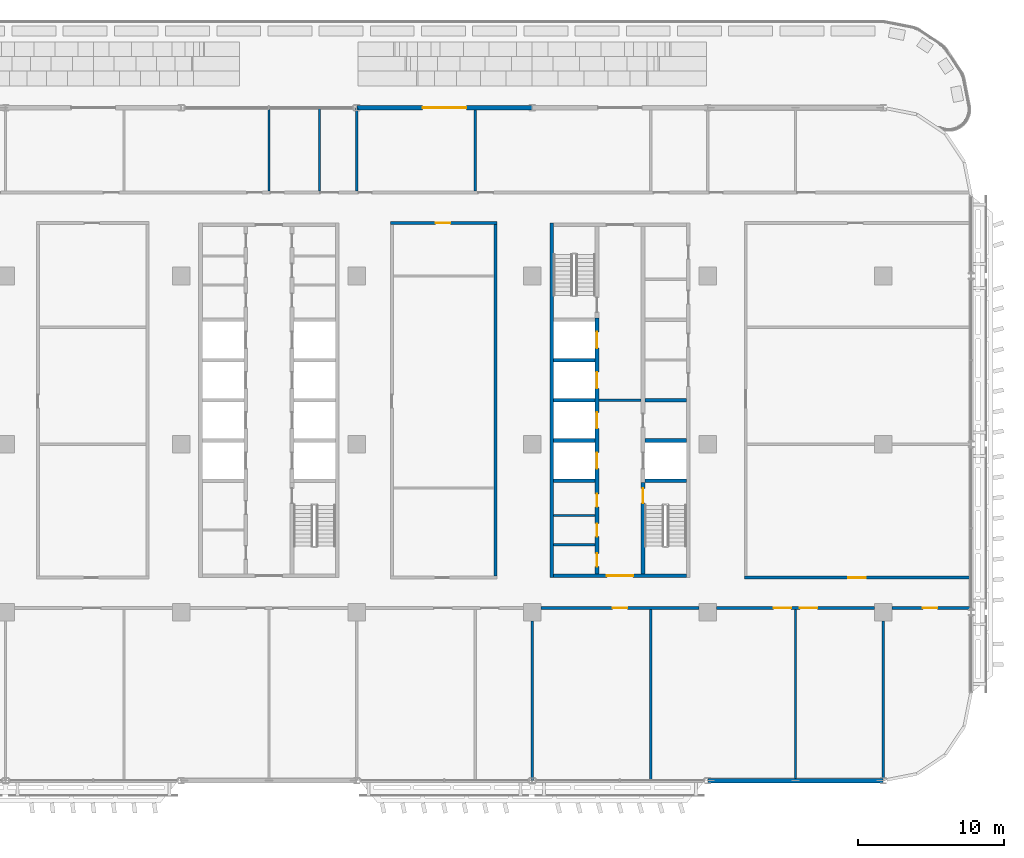
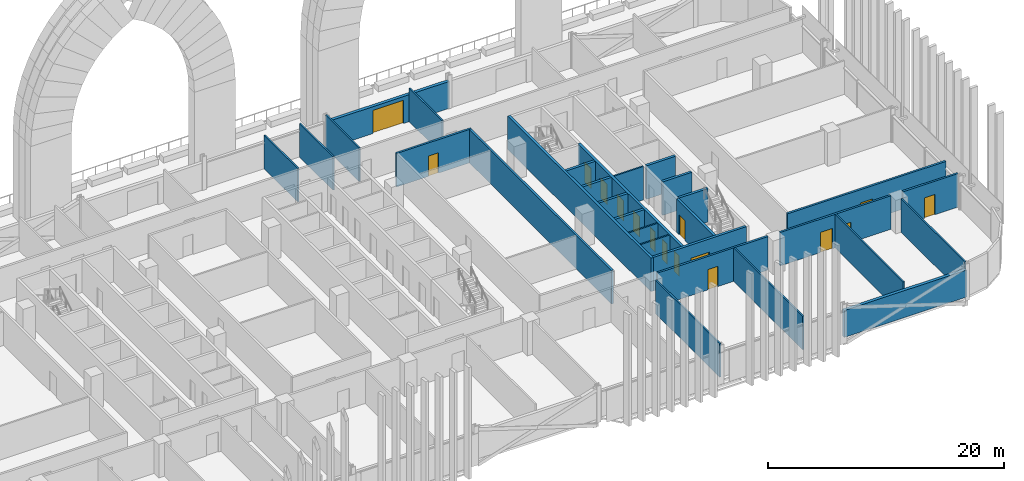
# One storey, part 14 of 30: 30 walls, 16 doors, 16 openings.
"""IFC4 building model written with IfcOpenShell, lengths in metres."""

import ifcopenshell
import ifcopenshell.guid

model = None  # the IFC model being written
_history = None  # IfcOwnerHistory: only IFC2X3 demands one
_inside = {}  # id of a spatial element -> (the spatial element, [elements in it])
_under = {}  # id of a project, library or spatial element -> (it, [spatial elements below it])
_declared = {}  # id of a project -> (the project, [libraries it declares])
_typed = {}  # id of a type object -> (the type object, [elements of that type])
_made_of = {}  # id of a material, layer set ... -> (it, [elements and type objects made of it])


def new_model(schema):
    """Start an empty IFC model of exactly this schema.

    Asked for "IFC4X3", IfcOpenShell would pick the latest addendum, in which some entities
    have other attributes; the version numbers below select the first issue.
    IFC2X3 requires an IfcOwnerHistory on every rooted entity: one is made here for all.
    """
    global model, _history
    if schema == "IFC4X3":
        model = ifcopenshell.file(schema_version=(4, 3, 0, 0))
    else:
        model = ifcopenshell.file(schema=schema)
    _inside.clear()
    _under.clear()
    _declared.clear()
    _typed.clear()
    _made_of.clear()
    _history = None
    if model.schema == "IFC2X3":
        org = make("IfcOrganization", Name="unknown")
        user = make(
            "IfcPersonAndOrganization",
            ThePerson=make("IfcPerson", FamilyName="unknown"),
            TheOrganization=org,
        )
        app = make(
            "IfcApplication",
            ApplicationDeveloper=org,
            Version="unknown",
            ApplicationFullName="unknown",
            ApplicationIdentifier="unknown",
        )
        _history = make(
            "IfcOwnerHistory",
            OwningUser=user,
            OwningApplication=app,
            ChangeAction="ADDED",
            CreationDate=0,
        )
    return model


def make(cls, **values):
    """One entity of the class cls with the attributes given. An attribute that is None is left unset."""
    return model.create_entity(
        cls, **{name: value for name, value in values.items() if value is not None}
    )


def rooted(cls, **values):
    """An entity with a GlobalId (a new one), such as an element, a storey or a relation."""
    return make(cls, GlobalId=ifcopenshell.guid.new(), OwnerHistory=_history, **values)


def si_unit(unit_type, name, prefix=None):
    """IfcSIUnit, for example si_unit("LENGTHUNIT", "METRE", prefix="MILLI")."""
    return make("IfcSIUnit", UnitType=unit_type, Prefix=prefix, Name=name)


def assignment(units):
    """IfcUnitAssignment: the units of a project."""
    return None if units is None else make("IfcUnitAssignment", Units=units)


def point(xyz):
    """IfcCartesianPoint."""
    return None if xyz is None else make("IfcCartesianPoint", Coordinates=xyz)


def direction(xyz):
    """IfcDirection."""
    return None if xyz is None else make("IfcDirection", DirectionRatios=xyz)


def frame(location, z_axis=None, x_axis=None):
    """IfcAxis2Placement3D, a coordinate frame: its origin and axes. An axis left out is left unset."""
    return make(
        "IfcAxis2Placement3D",
        Location=point(location),
        Axis=direction(z_axis),
        RefDirection=direction(x_axis),
    )


def frame_2d(location, x_axis=None):
    """IfcAxis2Placement2D, a coordinate frame in the plane: its origin and x axis."""
    return make(
        "IfcAxis2Placement2D", Location=point(location), RefDirection=direction(x_axis)
    )


def origin():
    """The frame at (0, 0, 0) with its axes left unset."""
    return frame((0.0, 0.0, 0.0))


def place(relative_to, where):
    """IfcLocalPlacement: puts the frame where relative to a parent placement (None: the world)."""
    return make(
        "IfcLocalPlacement", PlacementRelTo=relative_to, RelativePlacement=where
    )


def context(
    kind, dimensions, precision=None, world=None, true_north=None, identifier=None
):
    """IfcGeometricRepresentationContext, for example the 3D "Model" context."""
    return make(
        "IfcGeometricRepresentationContext",
        ContextIdentifier=identifier,
        ContextType=kind,
        CoordinateSpaceDimension=dimensions,
        Precision=precision,
        WorldCoordinateSystem=world,
        TrueNorth=true_north,
    )


def subcontext(parent, identifier, kind, view, scale=None):
    """IfcGeometricRepresentationSubContext, for example "Body" below "Model"."""
    return make(
        "IfcGeometricRepresentationSubContext",
        ContextIdentifier=identifier,
        ContextType=kind,
        ParentContext=parent,
        TargetScale=scale,
        TargetView=view,
    )


def project(units=None, contexts=None):
    """IfcProject with its units and contexts."""
    return rooted(
        "IfcProject",
        Name="project",
        RepresentationContexts=contexts,
        UnitsInContext=assignment(units),
    )


def spatial(cls, under=None, at=None, **own):
    """A site, building, storey or space (cls), placed at a placement, below another one or the project."""
    s = rooted(cls, ObjectPlacement=at, **own)
    if under is not None:
        _under.setdefault(under.id(), (under, []))[1].append(s)
    return s


def profile(cls, at=None, kind="AREA", **sizes):
    """A parametric profile (cls). Its sizes go by their IFC names, for example OverallWidth=200.0."""
    return make(cls, ProfileType=kind, Position=at, **sizes)


def rectangle(**sizes):
    """IfcRectangleProfileDef."""
    return profile("IfcRectangleProfileDef", **sizes)


def extrude(swept, where, along, depth):
    """IfcExtrudedAreaSolid: the profile swept, set in the frame where, extruded along a direction by depth."""
    return make(
        "IfcExtrudedAreaSolid",
        SweptArea=swept,
        Position=where,
        ExtrudedDirection=direction(along),
        Depth=depth,
    )


def shape(context_of_items, identifier, shape_type, items):
    """IfcShapeRepresentation: the items that make up one representation, for example the "Body"."""
    return make(
        "IfcShapeRepresentation",
        ContextOfItems=context_of_items,
        RepresentationIdentifier=identifier,
        RepresentationType=shape_type,
        Items=items,
    )


def material(Name=None, Category=None):
    """IfcMaterial."""
    return make("IfcMaterial", Name=Name, Category=Category)


def layer(
    of_material, thickness, ventilated=None, Name=None, Category=None, Priority=None
):
    """IfcMaterialLayer: one layer of a wall or slab, of a material (None: an air gap)."""
    return make(
        "IfcMaterialLayer",
        Material=of_material,
        LayerThickness=thickness,
        IsVentilated=ventilated,
        Name=Name,
        Category=Category,
        Priority=Priority,
    )


def layer_set(layers, Name=None):
    """IfcMaterialLayerSet."""
    return make("IfcMaterialLayerSet", MaterialLayers=layers, LayerSetName=Name)


def made_of(thing, what):
    """Note that an element or type object is made of a material, layer set ...; save() writes the relation."""
    if what is not None:
        _made_of.setdefault(what.id(), (what, []))[1].append(thing)
    return thing


def type_object(cls, material=None, **own):
    """A type object (cls), such as IfcWallType, which elements share."""
    return made_of(rooted(cls, **own), material)


def element(
    cls,
    number,
    at=None,
    inside=None,
    cuts=None,
    type_object=None,
    material=None,
    context=None,
    identifier="Body",
    shape_type=None,
    held_by="IfcProductDefinitionShape",
    body=None,
    shapes=None,
    **own,
):
    """One element of the class cls, such as IfcWall. Its Tag is "e" and its number.

    at: its placement. inside: the storey or other place that contains it. cuts: it is an
    opening in that element (IfcRelVoidsElement). A single representation is given by context,
    identifier, shape_type and body (its items); several are given by shapes. held_by: the class
    of the entity that holds the representations. save() writes the other relations.
    """
    e = rooted(cls, Tag="e%d" % number, ObjectPlacement=at, **own)
    if body is not None:
        shapes = [shape(context, identifier, shape_type, body)]
    if shapes is not None:
        e.Representation = make(held_by, Representations=shapes)
    if inside is not None:
        _inside.setdefault(inside.id(), (inside, []))[1].append(e)
    if cuts is not None:
        rooted(
            "IfcRelVoidsElement", RelatingBuildingElement=cuts, RelatedOpeningElement=e
        )
    if type_object is not None:
        _typed.setdefault(type_object.id(), (type_object, []))[1].append(e)
    return made_of(e, material)


def fill(opening, filler):
    """IfcRelFillsElement: the door or window that sits in an opening."""
    return rooted(
        "IfcRelFillsElement",
        RelatingOpeningElement=opening,
        RelatedBuildingElement=filler,
    )


def aggregate(whole, parts):
    """IfcRelAggregates: a whole, such as a stair, and the parts it consists of."""
    return rooted("IfcRelAggregates", RelatingObject=whole, RelatedObjects=parts)


def save(model, path):
    """Write the relations noted so far, then the file.

    IfcRelAggregates (storeys below a building ...), IfcRelContainedInSpatialStructure (elements
    in a storey), IfcRelDefinesByType, IfcRelAssociatesMaterial and IfcRelDeclares: one each for
    every whole, place, type object, material and project.
    """
    for whole, parts in _under.values():
        aggregate(whole, parts)
    for where, things in _inside.values():
        rooted(
            "IfcRelContainedInSpatialStructure",
            RelatedElements=things,
            RelatingStructure=where,
        )
    for kind, things in _typed.values():
        rooted("IfcRelDefinesByType", RelatedObjects=things, RelatingType=kind)
    for what, things in _made_of.values():
        rooted("IfcRelAssociatesMaterial", RelatedObjects=things, RelatingMaterial=what)
    for by, libraries in _declared.values():
        rooted("IfcRelDeclares", RelatingContext=by, RelatedDefinitions=libraries)
    model.write(path)


model = new_model("IFC4")

# Units and contexts
model_context = context("Model", 3, precision=1e-05, world=origin(), true_north=direction((0.0, 1.0)))
body_context = subcontext(model_context, "Body", "Model", "MODEL_VIEW")
ifc_project = project(units=[si_unit("LENGTHUNIT", "METRE"), si_unit("AREAUNIT", "SQUARE_METRE"), si_unit("VOLUMEUNIT", "CUBIC_METRE"), si_unit("PLANEANGLEUNIT", "RADIAN"), si_unit("MASSUNIT", "GRAM", prefix="KILO")], contexts=[model_context])

# Site, building, storey
site_placement = place(None, origin())
site = spatial("IfcSite", under=ifc_project, at=site_placement, CompositionType="ELEMENT")
building_placement = place(site_placement, origin())
building = spatial("IfcBuilding", under=site, at=building_placement, Name="Mahtab Terrace Research Tower", CompositionType="ELEMENT")
storey_placement = place(building_placement, frame((0.0, 0.0, 159.199951171875)))
storey = spatial("IfcBuildingStorey", under=building, at=storey_placement, Name="L37", CompositionType="ELEMENT", Elevation=159.199951171875)

# Walls
ifc_material_1 = material(Name="Gypsum board partition")
ifc_layer_1 = layer(ifc_material_1, 0.14990234375)
ifc_layer_set_1 = layer_set([ifc_layer_1], Name="Core partition 150")
wall_type_1 = type_object("IfcWallType", Name="Core partition 150", PredefinedType="PARTITIONING", material=ifc_layer_set_1)
wall_1_placement = place(storey_placement, frame((22.550048828125, 3.0, 0.0), z_axis=(0.0, 0.0, 1.0), x_axis=(1.0, 0.0, 0.0)))
element("IfcWall", 1, at=wall_1_placement, inside=storey, type_object=wall_type_1, Name="Core wall C ffl", PredefinedType="PARTITIONING", context=body_context, shape_type="SweptSolid", body=[
    extrude(rectangle(XDim=2.89990234375, YDim=0.14990234375, at=frame_2d((1.449951171875, 0.0))), origin(), (0.0, 0.0, 1.0), 3.4599609375),
])
for number, where, z_axis, x_axis, name in (
    (2, (19.449951171875, -6.875, 0.0), (0.0, 0.0, 1.0), (1.0, 0.0, 0.0), "Core wall C pWS-988"),
    (3, (19.449951171875, -4.875, 0.0), (0.0, 0.0, 1.0), (1.0, 0.0, 0.0), "Core wall C pWS-788"),
):
    element("IfcWall", number, at=place(storey_placement, frame(where, z_axis=z_axis, x_axis=x_axis)), inside=storey, type_object=wall_type_1, Name=name, PredefinedType="PARTITIONING", context=body_context, shape_type="SweptSolid", body=[
        extrude(rectangle(XDim=2.85009765625, YDim=0.14990234375, at=frame_2d((1.425048828125, 0.0))), origin(), (0.0, 0.0, 1.0), 3.4599609375),
    ])
ifc_material_2 = material(Name="Concrete C70/85", Category="concrete")
ifc_layer_2 = layer(ifc_material_2, 0.25)
ifc_layer_set_2 = layer_set([ifc_layer_2], Name="Core wall 250")
wall_type_2 = type_object("IfcWallType", Name="Core wall 250", PredefinedType="SOLIDWALL", material=ifc_layer_set_2)
wall_2_placement = place(storey_placement, frame((19.324951171875, 15.125, 0.0), z_axis=(0.0, 0.0, 1.0), x_axis=(0.0, -1.0, 0.0)))
element("IfcWall", 4, at=wall_2_placement, inside=storey, type_object=wall_type_2, Name="Core wall C outerW", PredefinedType="SOLIDWALL", context=body_context, shape_type="SweptSolid", body=[
    extrude(rectangle(XDim=24.25, YDim=0.25, at=frame_2d((12.125, 0.0))), origin(), (0.0, 0.0, 1.0), 3.4599609375),
])

# Wall, opening, door
wall_3_placement = place(storey_placement, frame((28.550048828125, -9.0, 0.0), z_axis=(0.0, 0.0, 1.0), x_axis=(-1.0, 0.0, 0.0)))
wall_3 = element("IfcWall", 5, at=wall_3_placement, inside=storey, type_object=wall_type_2, Name="Core wall C endS", PredefinedType="SOLIDWALL", context=body_context, shape_type="SweptSolid", body=[
    extrude(rectangle(XDim=9.10009765625, YDim=0.25, at=frame_2d((4.550048828125, 0.0))), origin(), (0.0, 0.0, 1.0), 3.4599609375),
])
opening_1_placement = place(wall_3_placement, frame((3.64990234375, 0.0, 0.0)))
opening_1 = element("IfcOpeningElement", 6, at=opening_1_placement, cuts=wall_3, Name="Opening C-S1", PredefinedType="OPENING", context=body_context, shape_type="SweptSolid", body=[
    extrude(rectangle(XDim=1.800048828125, YDim=2.10009765625, at=frame_2d((0.89990234375, 1.050048828125))), frame((0.0, 0.135009765625, 0.0), z_axis=(0.0, -1.0, 0.0), x_axis=(1.0, 0.0, 0.0)), (0.0, 0.0, 1.0), 0.27001953125),
])
ifc_material_3 = material(Name="Steel fire door", Category="steel")
door_type_1 = type_object("IfcDoorType", Name="Lobby double door 1800x2100 1 HR", OperationType="DOUBLE_DOOR_SINGLE_SWING", PredefinedType="DOOR", material=ifc_material_3)
door_1_placement = place(opening_1_placement, origin())
door_1 = element("IfcDoor", 7, at=door_1_placement, inside=storey, type_object=door_type_1, Name="Core entrance door C S", OperationType="DOUBLE_DOOR_SINGLE_SWING", OverallHeight=2.10009765625, OverallWidth=1.800048828125, PredefinedType="DOOR", context=body_context, shape_type="SweptSolid", body=[
    extrude(rectangle(XDim=1.800048828125, YDim=2.10009765625, at=frame_2d((0.89990234375, 1.050048828125))), frame((0.0, 0.02490234375, 0.0), z_axis=(0.0, -1.0, 0.0), x_axis=(1.0, 0.0, 0.0)), (0.0, 0.0, 1.0), 0.050048828125),
])
fill(opening_1, door_1)

# Wall, openings, doors
wall_4_placement = place(storey_placement, frame((22.425048828125, -8.875, 0.0), z_axis=(0.0, 0.0, 1.0), x_axis=(0.0, 1.0, 0.0)))
wall_4 = element("IfcWall", 8, at=wall_4_placement, inside=storey, type_object=wall_type_2, Name="Core wall C innerWSL", PredefinedType="SOLIDWALL", context=body_context, shape_type="SweptSolid", body=[
    extrude(rectangle(XDim=17.5, YDim=0.25, at=frame_2d((8.75, 0.0))), origin(), (0.0, 0.0, 1.0), 3.4599609375),
])
opening_2_placement = place(wall_4_placement, frame((7.199951171875, 0.0, 0.0)))
opening_2 = element("IfcOpeningElement", 9, at=opening_2_placement, cuts=wall_4, Name="Opening LD17-L37", PredefinedType="OPENING", context=body_context, shape_type="SweptSolid", body=[
    extrude(rectangle(XDim=1.10009765625, YDim=2.10009765625, at=frame_2d((0.550048828125, 1.050048828125))), frame((0.0, 0.135009765625, 0.0), z_axis=(0.0, -1.0, 0.0), x_axis=(1.0, 0.0, 0.0)), (0.0, 0.0, 1.0), 0.27001953125),
])
opening_3_placement = place(wall_4_placement, frame((9.949951171875, 0.0, 0.0)))
opening_3 = element("IfcOpeningElement", 10, at=opening_3_placement, cuts=wall_4, Name="Opening LD18-L37", PredefinedType="OPENING", context=body_context, shape_type="SweptSolid", body=[
    extrude(rectangle(XDim=1.10009765625, YDim=2.10009765625, at=frame_2d((0.550048828125, 1.050048828125))), frame((0.0, 0.135009765625, 0.0), z_axis=(0.0, -1.0, 0.0), x_axis=(1.0, 0.0, 0.0)), (0.0, 0.0, 1.0), 0.27001953125),
])
opening_4_placement = place(wall_4_placement, frame((12.699951171875, 0.0, 0.0)))
opening_4 = element("IfcOpeningElement", 11, at=opening_4_placement, cuts=wall_4, Name="Opening LD19-L37", PredefinedType="OPENING", context=body_context, shape_type="SweptSolid", body=[
    extrude(rectangle(XDim=1.10009765625, YDim=2.10009765625, at=frame_2d((0.550048828125, 1.050048828125))), frame((0.0, 0.135009765625, 0.0), z_axis=(0.0, -1.0, 0.0), x_axis=(1.0, 0.0, 0.0)), (0.0, 0.0, 1.0), 0.27001953125),
])
opening_5_placement = place(wall_4_placement, frame((15.449951171875, 0.0, 0.0)))
opening_5 = element("IfcOpeningElement", 12, at=opening_5_placement, cuts=wall_4, Name="Opening LD20-L37", PredefinedType="OPENING", context=body_context, shape_type="SweptSolid", body=[
    extrude(rectangle(XDim=1.10009765625, YDim=2.10009765625, at=frame_2d((0.550048828125, 1.050048828125))), frame((0.0, 0.135009765625, 0.0), z_axis=(0.0, -1.0, 0.0), x_axis=(1.0, 0.0, 0.0)), (0.0, 0.0, 1.0), 0.27001953125),
])
opening_6_placement = place(wall_4_placement, frame((0.512451171875, 0.0, 0.0)))
opening_6 = element("IfcOpeningElement", 13, at=opening_6_placement, cuts=wall_4, Name="Opening C-R4", PredefinedType="OPENING", context=body_context, shape_type="SweptSolid", body=[
    extrude(rectangle(XDim=0.89990234375, YDim=2.10009765625, at=frame_2d((0.449951171875, 1.050048828125))), frame((0.0, 0.135009765625, 0.0), z_axis=(0.0, -1.0, 0.0), x_axis=(1.0, 0.0, 0.0)), (0.0, 0.0, 1.0), 0.27001953125),
])
opening_7_placement = place(wall_4_placement, frame((2.550048828125, 0.0, 0.0)))
opening_7 = element("IfcOpeningElement", 14, at=opening_7_placement, cuts=wall_4, Name="Opening C-R5", PredefinedType="OPENING", context=body_context, shape_type="SweptSolid", body=[
    extrude(rectangle(XDim=0.89990234375, YDim=2.10009765625, at=frame_2d((0.449951171875, 1.050048828125))), frame((0.0, 0.135009765625, 0.0), z_axis=(0.0, -1.0, 0.0), x_axis=(1.0, 0.0, 0.0)), (0.0, 0.0, 1.0), 0.27001953125),
])
opening_8_placement = place(wall_4_placement, frame((4.58740234375, 0.0, 0.0)))
opening_8 = element("IfcOpeningElement", 15, at=opening_8_placement, cuts=wall_4, Name="Opening C-R6", PredefinedType="OPENING", context=body_context, shape_type="SweptSolid", body=[
    extrude(rectangle(XDim=0.89990234375, YDim=2.10009765625, at=frame_2d((0.449951171875, 1.050048828125))), frame((0.0, 0.135009765625, 0.0), z_axis=(0.0, -1.0, 0.0), x_axis=(1.0, 0.0, 0.0)), (0.0, 0.0, 1.0), 0.27001953125),
])
ifc_material_4 = material(Name="Stainless steel AISI 304", Category="steel")
door_type_2 = type_object("IfcDoorType", Name="Landing door 1100x2100", OperationType="DOUBLE_DOOR_SLIDING", PredefinedType="DOOR", material=ifc_material_4)
door_2_placement = place(opening_2_placement, origin())
door_2 = element("IfcDoor", 16, at=door_2_placement, inside=storey, type_object=door_type_2, Name="Landing door SV1 L37", OperationType="DOUBLE_DOOR_SLIDING", OverallHeight=2.10009765625, OverallWidth=1.10009765625, PredefinedType="DOOR", context=body_context, shape_type="SweptSolid", body=[
    extrude(rectangle(XDim=1.10009765625, YDim=2.10009765625, at=frame_2d((0.550048828125, 1.050048828125))), frame((0.0, 0.02490234375, 0.0), z_axis=(0.0, -1.0, 0.0), x_axis=(1.0, 0.0, 0.0)), (0.0, 0.0, 1.0), 0.050048828125),
])
fill(opening_2, door_2)
door_3_placement = place(opening_3_placement, origin())
door_3 = element("IfcDoor", 17, at=door_3_placement, inside=storey, type_object=door_type_2, Name="Landing door SV2 L37", OperationType="DOUBLE_DOOR_SLIDING", OverallHeight=2.10009765625, OverallWidth=1.10009765625, PredefinedType="DOOR", context=body_context, shape_type="SweptSolid", body=[
    extrude(rectangle(XDim=1.10009765625, YDim=2.10009765625, at=frame_2d((0.550048828125, 1.050048828125))), frame((0.0, 0.02490234375, 0.0), z_axis=(0.0, -1.0, 0.0), x_axis=(1.0, 0.0, 0.0)), (0.0, 0.0, 1.0), 0.050048828125),
])
fill(opening_3, door_3)
door_4_placement = place(opening_4_placement, origin())
door_4 = element("IfcDoor", 18, at=door_4_placement, inside=storey, type_object=door_type_2, Name="Landing door FF1 L37", OperationType="DOUBLE_DOOR_SLIDING", OverallHeight=2.10009765625, OverallWidth=1.10009765625, PredefinedType="DOOR", context=body_context, shape_type="SweptSolid", body=[
    extrude(rectangle(XDim=1.10009765625, YDim=2.10009765625, at=frame_2d((0.550048828125, 1.050048828125))), frame((0.0, 0.02490234375, 0.0), z_axis=(0.0, -1.0, 0.0), x_axis=(1.0, 0.0, 0.0)), (0.0, 0.0, 1.0), 0.050048828125),
])
fill(opening_4, door_4)
door_5_placement = place(opening_5_placement, origin())
door_5 = element("IfcDoor", 19, at=door_5_placement, inside=storey, type_object=door_type_2, Name="Landing door FF2 L37", OperationType="DOUBLE_DOOR_SLIDING", OverallHeight=2.10009765625, OverallWidth=1.10009765625, PredefinedType="DOOR", context=body_context, shape_type="SweptSolid", body=[
    extrude(rectangle(XDim=1.10009765625, YDim=2.10009765625, at=frame_2d((0.550048828125, 1.050048828125))), frame((0.0, 0.02490234375, 0.0), z_axis=(0.0, -1.0, 0.0), x_axis=(1.0, 0.0, 0.0)), (0.0, 0.0, 1.0), 0.050048828125),
])
fill(opening_5, door_5)
door_type_3 = type_object("IfcDoorType", Name="Room door 900x2100 1 HR", OperationType="NOTDEFINED", PredefinedType="DOOR", material=ifc_material_3)
door_6_placement = place(opening_6_placement, origin())
door_6 = element("IfcDoor", 20, at=door_6_placement, inside=storey, type_object=door_type_3, Name="Male WC door", OperationType="SINGLE_SWING_RIGHT", OverallHeight=2.10009765625, OverallWidth=0.89990234375, PredefinedType="DOOR", context=body_context, shape_type="SweptSolid", body=[
    extrude(rectangle(XDim=0.89990234375, YDim=2.10009765625, at=frame_2d((0.449951171875, 1.050048828125))), frame((0.0, 0.02490234375, 0.0), z_axis=(0.0, -1.0, 0.0), x_axis=(1.0, 0.0, 0.0)), (0.0, 0.0, 1.0), 0.050048828125),
])
fill(opening_6, door_6)
door_7_placement = place(opening_7_placement, origin())
door_7 = element("IfcDoor", 21, at=door_7_placement, inside=storey, type_object=door_type_3, Name="Female WC door", OperationType="SINGLE_SWING_LEFT", OverallHeight=2.10009765625, OverallWidth=0.89990234375, PredefinedType="DOOR", context=body_context, shape_type="SweptSolid", body=[
    extrude(rectangle(XDim=0.89990234375, YDim=2.10009765625, at=frame_2d((0.449951171875, 1.050048828125))), frame((0.0, 0.02490234375, 0.0), z_axis=(0.0, -1.0, 0.0), x_axis=(1.0, 0.0, 0.0)), (0.0, 0.0, 1.0), 0.050048828125),
])
fill(opening_7, door_7)
door_8_placement = place(opening_8_placement, origin())
door_8 = element("IfcDoor", 22, at=door_8_placement, inside=storey, type_object=door_type_3, Name="Accessible WC door", OperationType="SINGLE_SWING_RIGHT", OverallHeight=2.10009765625, OverallWidth=0.89990234375, PredefinedType="DOOR", context=body_context, shape_type="SweptSolid", body=[
    extrude(rectangle(XDim=0.89990234375, YDim=2.10009765625, at=frame_2d((0.449951171875, 1.050048828125))), frame((0.0, 0.02490234375, 0.0), z_axis=(0.0, -1.0, 0.0), x_axis=(1.0, 0.0, 0.0)), (0.0, 0.0, 1.0), 0.050048828125),
])
fill(opening_8, door_8)

# Wall, opening, door
wall_5_placement = place(storey_placement, frame((25.574951171875, -8.875, 0.0), z_axis=(0.0, 0.0, 1.0), x_axis=(0.0, 1.0, 0.0)))
wall_5 = element("IfcWall", 23, at=wall_5_placement, inside=storey, type_object=wall_type_2, Name="Core wall C innerES", PredefinedType="SOLIDWALL", context=body_context, shape_type="SweptSolid", body=[
    extrude(rectangle(XDim=6.25, YDim=0.25, at=frame_2d((3.125, 0.0))), origin(), (0.0, 0.0, 1.0), 3.4599609375),
])
opening_9_placement = place(wall_5_placement, frame((4.85009765625, 0.0, 0.0)))
opening_9 = element("IfcOpeningElement", 24, at=opening_9_placement, cuts=wall_5, Name="Opening C-ST4", PredefinedType="OPENING", context=body_context, shape_type="SweptSolid", body=[
    extrude(rectangle(XDim=1.0, YDim=2.10009765625, at=frame_2d((0.5, 1.050048828125))), frame((0.0, 0.135009765625, 0.0), z_axis=(0.0, -1.0, 0.0), x_axis=(1.0, 0.0, 0.0)), (0.0, 0.0, 1.0), 0.27001953125),
])
door_type_4 = type_object("IfcDoorType", Name="Stair door 1000x2100 1.5 HR", OperationType="NOTDEFINED", PredefinedType="DOOR", material=ifc_material_3)
door_9_placement = place(opening_9_placement, origin())
door_9 = element("IfcDoor", 25, at=door_9_placement, inside=storey, type_object=door_type_4, Name="Stair door ST4 L37", OperationType="SINGLE_SWING_RIGHT", OverallHeight=2.10009765625, OverallWidth=1.0, PredefinedType="DOOR", context=body_context, shape_type="SweptSolid", body=[
    extrude(rectangle(XDim=1.0, YDim=2.10009765625, at=frame_2d((0.5, 1.050048828125))), frame((0.0, 0.02490234375, 0.0), z_axis=(0.0, -1.0, 0.0), x_axis=(1.0, 0.0, 0.0)), (0.0, 0.0, 1.0), 0.050048828125),
])
fill(opening_9, door_9)

# Walls
for number, where, z_axis, x_axis, name in (
    (26, (19.449951171875, -2.5, 0.0), (0.0, 0.0, 1.0), (1.0, 0.0, 0.0), "Core wall C divW0"),
    (27, (19.449951171875, 0.25, 0.0), (0.0, 0.0, 1.0), (1.0, 0.0, 0.0), "Core wall C divW1"),
    (28, (19.449951171875, 3.0, 0.0), (0.0, 0.0, 1.0), (1.0, 0.0, 0.0), "Core wall C divW2"),
    (29, (19.449951171875, 5.75, 0.0), (0.0, 0.0, 1.0), (1.0, 0.0, 0.0), "Core wall C divW3"),
    (30, (25.699951171875, -2.5, 0.0), (0.0, 0.0, 1.0), (1.0, 0.0, 0.0), "Core wall C divE0"),
    (31, (25.699951171875, 0.25, 0.0), (0.0, 0.0, 1.0), (1.0, 0.0, 0.0), "Core wall C divE1"),
    (32, (25.699951171875, 3.0, 0.0), (0.0, 0.0, 1.0), (1.0, 0.0, 0.0), "Core wall C divE2"),
):
    element("IfcWall", number, at=place(storey_placement, frame(where, z_axis=z_axis, x_axis=x_axis)), inside=storey, type_object=wall_type_2, Name=name, PredefinedType="SOLIDWALL", context=body_context, shape_type="SweptSolid", body=[
        extrude(rectangle(XDim=2.85009765625, YDim=0.25, at=frame_2d((1.425048828125, 0.0))), origin(), (0.0, 0.0, 1.0), 3.4599609375),
    ])

# Wall, opening, door
ifc_material_5 = material(Name="Black aluminium cladding panel", Category="aluminium")
ifc_layer_3 = layer(ifc_material_5, 0.300048828125)
ifc_layer_set_3 = layer_set([ifc_layer_3], Name="Opaque facade wall 300")
wall_type_3 = type_object("IfcWallType", Name="Opaque facade wall 300", PredefinedType="NOTDEFINED", material=ifc_layer_set_3)
wall_6_placement = place(storey_placement, frame((17.985107421875, 23.0, 0.0), z_axis=(0.0, 0.0, 1.0), x_axis=(-1.0, 0.0, 0.0)))
wall_6 = element("IfcWall", 33, at=wall_6_placement, inside=storey, type_object=wall_type_3, Name="Opaque facade wall L37 N5", PredefinedType="NOTDEFINED", context=body_context, shape_type="SweptSolid", body=[
    extrude(rectangle(XDim=11.97021484375, YDim=0.300048828125, at=frame_2d((5.985107421875, 0.0))), origin(), (0.0, 0.0, 1.0), 2.78173828125),
])
opening_10_placement = place(wall_6_placement, frame((4.485107421875, 0.0, 0.0)))
opening_10 = element("IfcOpeningElement", 34, at=opening_10_placement, cuts=wall_6, Name="Opening ED1", PredefinedType="OPENING", context=body_context, shape_type="SweptSolid", body=[
    extrude(rectangle(XDim=3.0, YDim=2.39990234375, at=frame_2d((1.5, 1.199951171875))), frame((0.0, 0.159912109375, 0.0), z_axis=(0.0, -1.0, 0.0), x_axis=(1.0, 0.0, 0.0)), (0.0, 0.0, 1.0), 0.320068359375),
])
ifc_material_6 = material(Name="Black anodised aluminium", Category="aluminium")
door_type_5 = type_object("IfcDoorType", Name="Terrace double door 3000x2400", OperationType="DOUBLE_DOOR_DOUBLE_SWING", PredefinedType="DOOR", material=ifc_material_6)
door_10_placement = place(opening_10_placement, origin())
door_10 = element("IfcDoor", 35, at=door_10_placement, inside=storey, type_object=door_type_5, Name="Terrace door L37 N", OperationType="SINGLE_SWING_LEFT", OverallHeight=2.39990234375, OverallWidth=3.0, PredefinedType="DOOR", context=body_context, shape_type="SweptSolid", body=[
    extrude(rectangle(XDim=3.0, YDim=2.39990234375, at=frame_2d((1.5, 1.199951171875))), frame((0.0, 0.02490234375, 0.0), z_axis=(0.0, -1.0, 0.0), x_axis=(1.0, 0.0, 0.0)), (0.0, 0.0, 1.0), 0.050048828125),
])
fill(opening_10, door_10)

# Wall
wall_7_placement = place(storey_placement, frame((30.014892578125, -23.0, 0.0), z_axis=(0.0, 0.0, 1.0), x_axis=(1.0, 0.0, 0.0)))
element("IfcWall", 36, at=wall_7_placement, inside=storey, type_object=wall_type_3, Name="Opaque facade wall L37 S29", PredefinedType="NOTDEFINED", context=body_context, shape_type="SweptSolid", body=[
    extrude(rectangle(XDim=11.97021484375, YDim=0.300048828125, at=frame_2d((5.985107421875, 0.0))), origin(), (0.0, 0.0, 1.0), 2.78173828125),
])

# Wall, opening, door
ifc_material_7 = material(Name="Gypsum board corridor wall on steel studs", Category="steel")
ifc_layer_4 = layer(ifc_material_7, 0.199951171875)
ifc_layer_set_4 = layer_set([ifc_layer_4], Name="WALL CORRIDOR 200")
wall_type_4 = type_object("IfcWallType", Name="WALL CORRIDOR 200", PredefinedType="PARTITIONING", material=ifc_layer_set_4)
wall_8_placement = place(storey_placement, frame((18.60009765625, -11.199951171875, 0.0), z_axis=(0.0, 0.0, 1.0), x_axis=(1.0, 0.0, 0.0)))
wall_8 = element("IfcWall", 37, at=wall_8_placement, inside=storey, type_object=wall_type_4, Name="L37-W007", PredefinedType="PARTITIONING", context=body_context, shape_type="SweptSolid", body=[
    extrude(rectangle(XDim=10.7998046875, YDim=0.199951171875, at=frame_2d((5.39990234375, 0.0))), origin(), (0.0, 0.0, 1.0), 3.4599609375),
])
opening_11_placement = place(wall_8_placement, frame((4.89990234375, 0.0, 0.0)))
opening_11 = element("IfcOpeningElement", 38, at=opening_11_placement, cuts=wall_8, Name="Opening L37-111", PredefinedType="OPENING", context=body_context, shape_type="SweptSolid", body=[
    extrude(rectangle(XDim=1.0, YDim=2.10009765625, at=frame_2d((0.5, 1.050048828125))), frame((0.0, 0.10986328125, 0.0), z_axis=(0.0, -1.0, 0.0), x_axis=(1.0, 0.0, 0.0)), (0.0, 0.0, 1.0), 0.219970703125),
])
ifc_material_8 = material(Name="Timber door leaf in steel frame", Category="steel")
door_type_6 = type_object("IfcDoorType", Name="DOOR 1000X2100 FD30S", OperationType="SINGLE_SWING_LEFT", PredefinedType="DOOR", material=ifc_material_8)
door_11_placement = place(opening_11_placement, origin())
door_11 = element("IfcDoor", 39, at=door_11_placement, inside=storey, type_object=door_type_6, Name="Door L37-111", OperationType="SINGLE_SWING_LEFT", OverallHeight=2.10009765625, OverallWidth=1.0, PredefinedType="DOOR", context=body_context, shape_type="SweptSolid", body=[
    extrude(rectangle(XDim=1.0, YDim=2.10009765625, at=frame_2d((0.5, 1.050048828125))), frame((0.0, 0.02490234375, 0.0), z_axis=(0.0, -1.0, 0.0), x_axis=(1.0, 0.0, 0.0)), (0.0, 0.0, 1.0), 0.050048828125),
])
fill(opening_11, door_11)

# Wall, openings, doors
wall_9_placement = place(storey_placement, frame((30.60009765625, -11.199951171875, 0.0), z_axis=(0.0, 0.0, 1.0), x_axis=(1.0, 0.0, 0.0)))
wall_9 = element("IfcWall", 40, at=wall_9_placement, inside=storey, type_object=wall_type_4, Name="L37-W008", PredefinedType="PARTITIONING", context=body_context, shape_type="SweptSolid", body=[
    extrude(rectangle(XDim=10.7998046875, YDim=0.199951171875, at=frame_2d((5.39990234375, 0.0))), origin(), (0.0, 0.0, 1.0), 3.4599609375),
])
opening_12_placement = place(wall_9_placement, frame((3.89990234375, 0.0, 0.0)))
opening_12 = element("IfcOpeningElement", 41, at=opening_12_placement, cuts=wall_9, Name="Opening L37-112", PredefinedType="OPENING", context=body_context, shape_type="SweptSolid", body=[
    extrude(rectangle(XDim=1.199951171875, YDim=2.10009765625, at=frame_2d((0.60009765625, 1.050048828125))), frame((0.0, 0.10986328125, 0.0), z_axis=(0.0, -1.0, 0.0), x_axis=(1.0, 0.0, 0.0)), (0.0, 0.0, 1.0), 0.219970703125),
])
opening_13_placement = place(wall_9_placement, frame((5.699951171875, 0.0, 0.0)))
opening_13 = element("IfcOpeningElement", 42, at=opening_13_placement, cuts=wall_9, Name="Opening L37-113", PredefinedType="OPENING", context=body_context, shape_type="SweptSolid", body=[
    extrude(rectangle(XDim=1.199951171875, YDim=2.10009765625, at=frame_2d((0.60009765625, 1.050048828125))), frame((0.0, 0.10986328125, 0.0), z_axis=(0.0, -1.0, 0.0), x_axis=(1.0, 0.0, 0.0)), (0.0, 0.0, 1.0), 0.219970703125),
])
door_type_7 = type_object("IfcDoorType", Name="DOOR 1200X2100 FD30S", OperationType="SINGLE_SWING_LEFT", PredefinedType="DOOR", material=ifc_material_8)
door_12_placement = place(opening_12_placement, origin())
door_12 = element("IfcDoor", 43, at=door_12_placement, inside=storey, type_object=door_type_7, Name="Door L37-112", OperationType="SINGLE_SWING_RIGHT", OverallHeight=2.10009765625, OverallWidth=1.199951171875, PredefinedType="DOOR", context=body_context, shape_type="SweptSolid", body=[
    extrude(rectangle(XDim=1.199951171875, YDim=2.10009765625, at=frame_2d((0.60009765625, 1.050048828125))), frame((0.0, 0.02490234375, 0.0), z_axis=(0.0, -1.0, 0.0), x_axis=(1.0, 0.0, 0.0)), (0.0, 0.0, 1.0), 0.050048828125),
])
fill(opening_12, door_12)
door_13_placement = place(opening_13_placement, origin())
door_13 = element("IfcDoor", 44, at=door_13_placement, inside=storey, type_object=door_type_7, Name="Door L37-113", OperationType="SINGLE_SWING_LEFT", OverallHeight=2.10009765625, OverallWidth=1.199951171875, PredefinedType="DOOR", context=body_context, shape_type="SweptSolid", body=[
    extrude(rectangle(XDim=1.199951171875, YDim=2.10009765625, at=frame_2d((0.60009765625, 1.050048828125))), frame((0.0, 0.02490234375, 0.0), z_axis=(0.0, -1.0, 0.0), x_axis=(1.0, 0.0, 0.0)), (0.0, 0.0, 1.0), 0.050048828125),
])
fill(opening_13, door_13)

# Wall, opening, door
wall_10_placement = place(storey_placement, frame((42.60009765625, -11.199951171875, 0.0), z_axis=(0.0, 0.0, 1.0), x_axis=(1.0, 0.0, 0.0)))
wall_10 = element("IfcWall", 45, at=wall_10_placement, inside=storey, type_object=wall_type_4, Name="L37-W009", PredefinedType="PARTITIONING", context=body_context, shape_type="SweptSolid", body=[
    extrude(rectangle(XDim=5.375, YDim=0.199951171875, at=frame_2d((2.6875, 0.0))), origin(), (0.0, 0.0, 1.0), 3.4599609375),
])
opening_14_placement = place(wall_10_placement, frame((2.10009765625, 0.0, 0.0)))
opening_14 = element("IfcOpeningElement", 46, at=opening_14_placement, cuts=wall_10, Name="Opening L37-114", PredefinedType="OPENING", context=body_context, shape_type="SweptSolid", body=[
    extrude(rectangle(XDim=1.0, YDim=2.10009765625, at=frame_2d((0.5, 1.050048828125))), frame((0.0, 0.10986328125, 0.0), z_axis=(0.0, -1.0, 0.0), x_axis=(1.0, 0.0, 0.0)), (0.0, 0.0, 1.0), 0.219970703125),
])
door_14_placement = place(opening_14_placement, origin())
door_14 = element("IfcDoor", 47, at=door_14_placement, inside=storey, type_object=door_type_6, Name="Door L37-114", OperationType="SINGLE_SWING_RIGHT", OverallHeight=2.10009765625, OverallWidth=1.0, PredefinedType="DOOR", context=body_context, shape_type="SweptSolid", body=[
    extrude(rectangle(XDim=1.0, YDim=2.10009765625, at=frame_2d((0.5, 1.050048828125))), frame((0.0, 0.02490234375, 0.0), z_axis=(0.0, -1.0, 0.0), x_axis=(1.0, 0.0, 0.0)), (0.0, 0.0, 1.0), 0.050048828125),
])
fill(opening_14, door_14)

wall_11_placement = place(storey_placement, frame((32.5, -9.125, 0.0), z_axis=(0.0, 0.0, 1.0), x_axis=(1.0, 0.0, 0.0)))
wall_11 = element("IfcWall", 48, at=wall_11_placement, inside=storey, type_object=wall_type_4, Name="L37-W013", PredefinedType="PARTITIONING", context=body_context, shape_type="SweptSolid", body=[
    extrude(rectangle(XDim=15.47509765625, YDim=0.199951171875, at=frame_2d((7.737548828125, 0.0))), origin(), (0.0, 0.0, 1.0), 3.4599609375),
])
opening_15_placement = place(wall_11_placement, frame((7.10009765625, 0.0, 0.0)))
opening_15 = element("IfcOpeningElement", 49, at=opening_15_placement, cuts=wall_11, Name="Opening L37-118", PredefinedType="OPENING", context=body_context, shape_type="SweptSolid", body=[
    extrude(rectangle(XDim=1.199951171875, YDim=2.10009765625, at=frame_2d((0.60009765625, 1.050048828125))), frame((0.0, 0.10986328125, 0.0), z_axis=(0.0, -1.0, 0.0), x_axis=(1.0, 0.0, 0.0)), (0.0, 0.0, 1.0), 0.219970703125),
])
door_15_placement = place(opening_15_placement, origin())
door_15 = element("IfcDoor", 50, at=door_15_placement, inside=storey, type_object=door_type_7, Name="Door L37-118", OperationType="SINGLE_SWING_RIGHT", OverallHeight=2.10009765625, OverallWidth=1.199951171875, PredefinedType="DOOR", context=body_context, shape_type="SweptSolid", body=[
    extrude(rectangle(XDim=1.199951171875, YDim=2.10009765625, at=frame_2d((0.60009765625, 1.050048828125))), frame((0.0, 0.02490234375, 0.0), z_axis=(0.0, -1.0, 0.0), x_axis=(1.0, 0.0, 0.0)), (0.0, 0.0, 1.0), 0.050048828125),
])
fill(opening_15, door_15)

wall_12_placement = place(storey_placement, frame((8.300048828125, 15.125, 0.0), z_axis=(0.0, 0.0, 1.0), x_axis=(1.0, 0.0, 0.0)))
wall_12 = element("IfcWall", 51, at=wall_12_placement, inside=storey, type_object=wall_type_4, Name="L37-W026", PredefinedType="PARTITIONING", context=body_context, shape_type="SweptSolid", body=[
    extrude(rectangle(XDim=7.300048828125, YDim=0.199951171875, at=frame_2d((3.64990234375, 0.0))), origin(), (0.0, 0.0, 1.0), 3.4599609375),
])
opening_16_placement = place(wall_12_placement, frame((3.10009765625, 0.0, 0.0)))
opening_16 = element("IfcOpeningElement", 52, at=opening_16_placement, cuts=wall_12, Name="Opening L37-126", PredefinedType="OPENING", context=body_context, shape_type="SweptSolid", body=[
    extrude(rectangle(XDim=1.0, YDim=2.10009765625, at=frame_2d((0.5, 1.050048828125))), frame((0.0, 0.10986328125, 0.0), z_axis=(0.0, -1.0, 0.0), x_axis=(1.0, 0.0, 0.0)), (0.0, 0.0, 1.0), 0.219970703125),
])
door_16_placement = place(opening_16_placement, origin())
door_16 = element("IfcDoor", 53, at=door_16_placement, inside=storey, type_object=door_type_6, Name="Door L37-126", OperationType="SINGLE_SWING_RIGHT", OverallHeight=2.10009765625, OverallWidth=1.0, PredefinedType="DOOR", context=body_context, shape_type="SweptSolid", body=[
    extrude(rectangle(XDim=1.0, YDim=2.10009765625, at=frame_2d((0.5, 1.050048828125))), frame((0.0, 0.02490234375, 0.0), z_axis=(0.0, -1.0, 0.0), x_axis=(1.0, 0.0, 0.0)), (0.0, 0.0, 1.0), 0.050048828125),
])
fill(opening_16, door_16)

# Walls
wall_13_placement = place(storey_placement, frame((15.5, -9.02490234375, 0.0), z_axis=(0.0, 0.0, 1.0), x_axis=(0.0, 1.0, 0.0)))
element("IfcWall", 54, at=wall_13_placement, inside=storey, type_object=wall_type_4, Name="L37-W052", PredefinedType="PARTITIONING", context=body_context, shape_type="SweptSolid", body=[
    extrude(rectangle(XDim=24.0498046875, YDim=0.199951171875, at=frame_2d((12.02490234375, 0.0))), origin(), (0.0, 0.0, 1.0), 3.4599609375),
])
ifc_material_9 = material(Name="Gypsum board partition on steel studs", Category="steel")
ifc_layer_5 = layer(ifc_material_9, 0.14990234375)
ifc_layer_set_5 = layer_set([ifc_layer_5], Name="WALL PARTITION 150")
wall_type_5 = type_object("IfcWallType", Name="WALL PARTITION 150", PredefinedType="PARTITIONING", material=ifc_layer_set_5)
for number, where, z_axis, x_axis, name in (
    (55, (0.0, 17.300048828125, 0.0), (0.0, 0.0, 1.0), (0.0, 1.0, 0.0), "L37-W045"),
    (56, (3.449951171875, 17.300048828125, 0.0), (0.0, 0.0, 1.0), (0.0, 1.0, 0.0), "L37-W046"),
    (57, (6.0, 17.300048828125, 0.0), (0.0, 0.0, 1.0), (0.0, 1.0, 0.0), "L37-W048"),
):
    element("IfcWall", number, at=place(storey_placement, frame(where, z_axis=z_axis, x_axis=x_axis)), inside=storey, type_object=wall_type_5, Name=name, PredefinedType="PARTITIONING", context=body_context, shape_type="SweptSolid", body=[
        extrude(rectangle(XDim=5.675048828125, YDim=0.14990234375, at=frame_2d((2.83740234375, 0.0))), origin(), (0.0, 0.0, 1.0), 3.4599609375),
    ])
wall_14_placement = place(storey_placement, frame((14.10009765625, 17.300048828125, 0.0), z_axis=(0.0, 0.0, 1.0), x_axis=(0.0, 1.0, 0.0)))
element("IfcWall", 58, at=wall_14_placement, inside=storey, type_object=wall_type_5, Name="L37-W051", PredefinedType="PARTITIONING", context=body_context, shape_type="SweptSolid", body=[
    extrude(rectangle(XDim=5.550048828125, YDim=0.14990234375, at=frame_2d((2.77490234375, 0.0))), origin(), (0.0, 0.0, 1.0), 3.4599609375),
])
wall_15_placement = place(storey_placement, frame((18.0, -22.97509765625, 0.0), z_axis=(0.0, 0.0, 1.0), x_axis=(0.0, 1.0, 0.0)))
element("IfcWall", 59, at=wall_15_placement, inside=storey, type_object=wall_type_5, Name="L37-W053", PredefinedType="PARTITIONING", context=body_context, shape_type="SweptSolid", body=[
    extrude(rectangle(XDim=10.875, YDim=0.14990234375, at=frame_2d((5.4375, 0.0))), origin(), (0.0, 0.0, 1.0), 3.4599609375),
])
wall_16_placement = place(storey_placement, frame((26.10009765625, -22.97509765625, 0.0), z_axis=(0.0, 0.0, 1.0), x_axis=(0.0, 1.0, 0.0)))
element("IfcWall", 60, at=wall_16_placement, inside=storey, type_object=wall_type_5, Name="L37-W054", PredefinedType="PARTITIONING", context=body_context, shape_type="SweptSolid", body=[
    extrude(rectangle(XDim=11.675048828125, YDim=0.14990234375, at=frame_2d((5.83740234375, 0.0))), origin(), (0.0, 0.0, 1.0), 3.4599609375),
])
wall_17_placement = place(storey_placement, frame((36.0, -22.85009765625, 0.0), z_axis=(0.0, 0.0, 1.0), x_axis=(0.0, 1.0, 0.0)))
element("IfcWall", 61, at=wall_17_placement, inside=storey, type_object=wall_type_5, Name="L37-W058", PredefinedType="PARTITIONING", context=body_context, shape_type="SweptSolid", body=[
    extrude(rectangle(XDim=11.550048828125, YDim=0.14990234375, at=frame_2d((5.77490234375, 0.0))), origin(), (0.0, 0.0, 1.0), 3.4599609375),
])
wall_18_placement = place(storey_placement, frame((42.0, -22.84716796875, 0.0), z_axis=(0.0, 0.0, 1.0), x_axis=(0.0, 1.0, 0.0)))
element("IfcWall", 62, at=wall_18_placement, inside=storey, type_object=wall_type_5, Name="L37-W060", PredefinedType="PARTITIONING", context=body_context, shape_type="SweptSolid", body=[
    extrude(rectangle(XDim=10.7470703125, YDim=0.14990234375, at=frame_2d((5.37353515625, 0.0))), origin(), (0.0, 0.0, 1.0), 3.4599609375),
])

save(model, "model.ifc")
